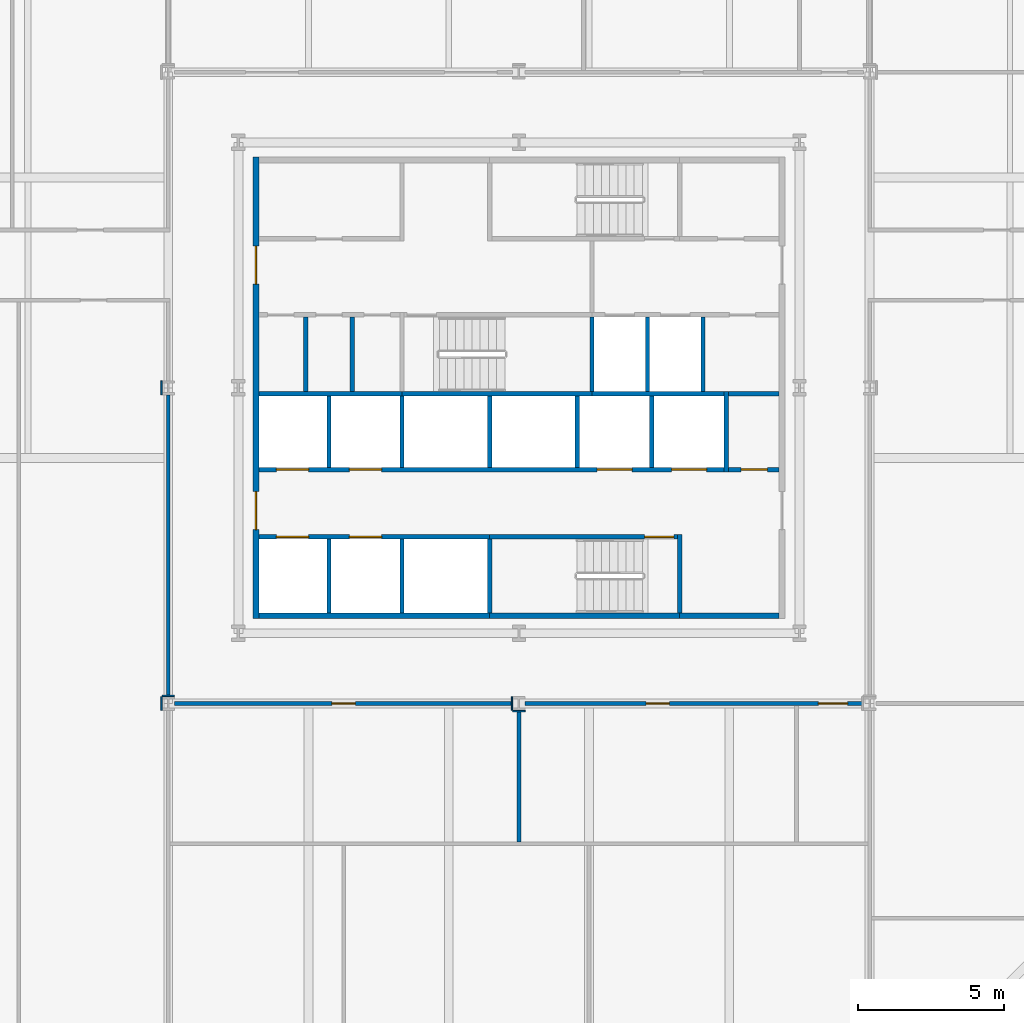
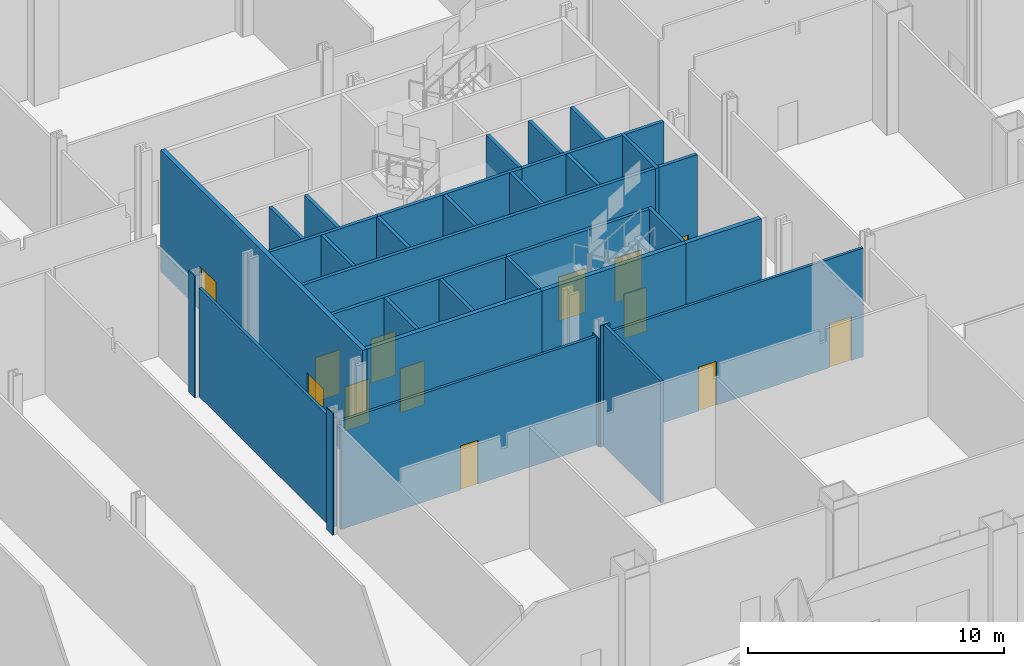
# One storey, part 18 of 31: 36 walls, 13 doors, 13 openings.
"""IFC4 building model written with IfcOpenShell, lengths in metres."""

from ifc_helpers import new_model, si_unit, direction, frame, frame_2d, origin, place, context, subcontext, project, spatial, rectangle, extrude, material, layer, layer_set, type_object, element, fill, save


model = new_model("IFC4")

# Units and contexts
model_context = context("Model", 3, precision=1e-05, world=origin(), true_north=direction((0.0, 1.0)))
body_context = subcontext(model_context, "Body", "Model", "MODEL_VIEW")
ifc_project = project(units=[si_unit("LENGTHUNIT", "METRE"), si_unit("AREAUNIT", "SQUARE_METRE"), si_unit("VOLUMEUNIT", "CUBIC_METRE"), si_unit("PLANEANGLEUNIT", "RADIAN"), si_unit("MASSUNIT", "GRAM", prefix="KILO")], contexts=[model_context])

# Site, building, storey
site_placement = place(None, origin())
site = spatial("IfcSite", under=ifc_project, at=site_placement, CompositionType="ELEMENT")
building_placement = place(site_placement, origin())
building = spatial("IfcBuilding", under=site, at=building_placement, Name="Cairn Pilgrim Tower", CompositionType="ELEMENT")
storey_placement = place(building_placement, frame((0.0, 0.0, 9.0)))
storey = spatial("IfcBuildingStorey", under=building, at=storey_placement, Name="L01", CompositionType="ELEMENT", Elevation=9.0)

# Walls
ifc_material_1 = material(Name="Concrete C32/40", Category="concrete")
ifc_layer_1 = layer(ifc_material_1, 0.199951171875)
ifc_layer_set_1 = layer_set([ifc_layer_1], Name="CORE OUTER WALL 200 EI 120")
wall_type_1 = type_object("IfcWallType", Name="CORE OUTER WALL 200 EI 120", PredefinedType="SOLIDWALL", material=ifc_layer_set_1)
wall_1_placement = place(storey_placement, frame((-1.699951171875, -5.39990234375, 0.0), z_axis=(0.0, 0.0, 1.0), x_axis=(1.0, 0.0, 0.0)))
element("IfcWall", 1, at=wall_1_placement, inside=storey, type_object=wall_type_1, Name="CW:L01:H01-1", PredefinedType="SOLIDWALL", context=body_context, shape_type="SweptSolid", body=[
    extrude(rectangle(XDim=7.89990234375, YDim=0.199951171875, at=frame_2d((3.949951171875, 0.0))), origin(), (0.0, 0.0, 1.0), 5.800048828125),
])
wall_2_placement = place(storey_placement, frame((12.699951171875, -5.39990234375, 0.0), z_axis=(0.0, 0.0, 1.0), x_axis=(1.0, 0.0, 0.0)))
element("IfcWall", 2, at=wall_2_placement, inside=storey, type_object=wall_type_1, Name="CW:L01:H01-3", PredefinedType="SOLIDWALL", context=body_context, shape_type="SweptSolid", body=[
    extrude(rectangle(XDim=3.400146484375, YDim=0.199951171875, at=frame_2d((1.7001953125, 0.0))), origin(), (0.0, 0.0, 1.0), 5.800048828125),
])

# Wall, openings, doors
wall_3_placement = place(storey_placement, frame((-1.800048828125, -5.5, 0.0), z_axis=(0.0, 0.0, 1.0), x_axis=(0.0, 1.0, 0.0)))
wall_3 = element("IfcWall", 3, at=wall_3_placement, inside=storey, type_object=wall_type_1, Name="CW:L01:V12", PredefinedType="SOLIDWALL", context=body_context, shape_type="SweptSolid", body=[
    extrude(rectangle(XDim=15.800048828125, YDim=0.199951171875, at=frame_2d((7.89990234375, 0.0))), origin(), (0.0, 0.0, 1.0), 5.800048828125),
])
opening_1_placement = place(wall_3_placement, frame((3.050048828125, 0.0, 0.0)))
opening_1 = element("IfcOpeningElement", 4, at=opening_1_placement, cuts=wall_3, Name="Opening CD-W1", PredefinedType="OPENING", context=body_context, shape_type="SweptSolid", body=[
    extrude(rectangle(XDim=1.300048828125, YDim=2.10009765625, at=frame_2d((0.64990234375, 1.050048828125))), frame((0.0, 0.10986328125, 0.0), z_axis=(0.0, -1.0, 0.0), x_axis=(1.0, 0.0, 0.0)), (0.0, 0.0, 1.0), 0.219970703125),
])
opening_2_placement = place(wall_3_placement, frame((11.449951171875, 0.0, 0.0)))
opening_2 = element("IfcOpeningElement", 5, at=opening_2_placement, cuts=wall_3, Name="Opening CD-W2", PredefinedType="OPENING", context=body_context, shape_type="SweptSolid", body=[
    extrude(rectangle(XDim=1.300048828125, YDim=2.10009765625, at=frame_2d((0.64990234375, 1.050048828125))), frame((0.0, 0.10986328125, 0.0), z_axis=(0.0, -1.0, 0.0), x_axis=(1.0, 0.0, 0.0)), (0.0, 0.0, 1.0), 0.219970703125),
])
ifc_material_2 = material(Name="Painted steel", Category="steel")
door_type_1 = type_object("IfcDoorType", Name="CORE LOBBY DOOR 1300x2100", OperationType="DOUBLE_DOOR_SINGLE_SWING", PredefinedType="DOOR", material=ifc_material_2)
door_1_placement = place(opening_1_placement, origin())
door_1 = element("IfcDoor", 6, at=door_1_placement, inside=storey, type_object=door_type_1, Name="CD-W1", OperationType="DOUBLE_DOOR_SINGLE_SWING", OverallHeight=2.10009765625, OverallWidth=1.300048828125, PredefinedType="DOOR", context=body_context, shape_type="SweptSolid", body=[
    extrude(rectangle(XDim=1.300048828125, YDim=2.10009765625, at=frame_2d((0.64990234375, 1.050048828125))), frame((0.0, 0.02490234375, 0.0), z_axis=(0.0, -1.0, 0.0), x_axis=(1.0, 0.0, 0.0)), (0.0, 0.0, 1.0), 0.050048828125),
])
fill(opening_1, door_1)
door_2_placement = place(opening_2_placement, origin())
door_2 = element("IfcDoor", 7, at=door_2_placement, inside=storey, type_object=door_type_1, Name="CD-W2", OperationType="DOUBLE_DOOR_SINGLE_SWING", OverallHeight=2.10009765625, OverallWidth=1.300048828125, PredefinedType="DOOR", context=body_context, shape_type="SweptSolid", body=[
    extrude(rectangle(XDim=1.300048828125, YDim=2.10009765625, at=frame_2d((0.64990234375, 1.050048828125))), frame((0.0, 0.02490234375, 0.0), z_axis=(0.0, -1.0, 0.0), x_axis=(1.0, 0.0, 0.0)), (0.0, 0.0, 1.0), 0.050048828125),
])
fill(opening_2, door_2)

# Wall, opening, door
ifc_layer_2 = layer(ifc_material_1, 0.14990234375)
ifc_layer_set_2 = layer_set([ifc_layer_2], Name="CORE PARTITION 150 EI 60")
wall_type_2 = type_object("IfcWallType", Name="CORE PARTITION 150 EI 60", PredefinedType="PARTITIONING", material=ifc_layer_set_2)
wall_4_placement = place(storey_placement, frame((14.375, -0.39990234375, 0.0), z_axis=(0.0, 0.0, 1.0), x_axis=(1.0, 0.0, 0.0)))
wall_4 = element("IfcWall", 8, at=wall_4_placement, inside=storey, type_object=wall_type_2, Name="CW:L01:H04", PredefinedType="PARTITIONING", context=body_context, shape_type="SweptSolid", body=[
    extrude(rectangle(XDim=1.72509765625, YDim=0.14990234375, at=frame_2d((0.862548828125, 0.0))), origin(), (0.0, 0.0, 1.0), 5.800048828125),
])
opening_3_placement = place(wall_4_placement, frame((0.425048828125, 0.0, 0.0)))
opening_3 = element("IfcOpeningElement", 9, at=opening_3_placement, cuts=wall_4, Name="Opening RD-R2E", PredefinedType="OPENING", context=body_context, shape_type="SweptSolid", body=[
    extrude(rectangle(XDim=0.89990234375, YDim=2.10009765625, at=frame_2d((0.449951171875, 1.050048828125))), frame((0.0, 0.0849609375, 0.0), z_axis=(0.0, -1.0, 0.0), x_axis=(1.0, 0.0, 0.0)), (0.0, 0.0, 1.0), 0.169921875),
])
door_type_2 = type_object("IfcDoorType", Name="SERVICE ROOM DOOR 900x2100", OperationType="SINGLE_SWING_LEFT", PredefinedType="DOOR", material=ifc_material_2)
door_3_placement = place(opening_3_placement, origin())
door_3 = element("IfcDoor", 10, at=door_3_placement, inside=storey, type_object=door_type_2, Name="RD-R2E", OperationType="SINGLE_SWING_LEFT", OverallHeight=2.10009765625, OverallWidth=0.89990234375, PredefinedType="DOOR", context=body_context, shape_type="SweptSolid", body=[
    extrude(rectangle(XDim=0.89990234375, YDim=2.10009765625, at=frame_2d((0.449951171875, 1.050048828125))), frame((0.0, 0.02490234375, 0.0), z_axis=(0.0, -1.0, 0.0), x_axis=(1.0, 0.0, 0.0)), (0.0, 0.0, 1.0), 0.050048828125),
])
fill(opening_3, door_3)

# Walls
wall_5_placement = place(storey_placement, frame((14.375, 2.199951171875, 0.0), z_axis=(0.0, 0.0, 1.0), x_axis=(1.0, 0.0, 0.0)))
element("IfcWall", 11, at=wall_5_placement, inside=storey, type_object=wall_type_2, Name="CW:L01:H06", PredefinedType="PARTITIONING", context=body_context, shape_type="SweptSolid", body=[
    extrude(rectangle(XDim=1.72509765625, YDim=0.14990234375, at=frame_2d((0.862548828125, 0.0))), origin(), (0.0, 0.0, 1.0), 5.800048828125),
])
for number, where, z_axis, x_axis, name in (
    (12, (-0.10009765625, 2.27490234375, 0.0), (0.0, 0.0, 1.0), (0.0, 1.0, 0.0), "CW:L01:V13"),
    (13, (1.5, 2.27490234375, 0.0), (0.0, 0.0, 1.0), (0.0, 1.0, 0.0), "CW:L01:V16"),
):
    element("IfcWall", number, at=place(storey_placement, frame(where, z_axis=z_axis, x_axis=x_axis)), inside=storey, type_object=wall_type_2, Name=name, PredefinedType="PARTITIONING", context=body_context, shape_type="SweptSolid", body=[
        extrude(rectangle(XDim=2.550048828125, YDim=0.14990234375, at=frame_2d((1.27490234375, 0.0))), origin(), (0.0, 0.0, 1.0), 5.800048828125),
    ])

# Wall, openings, doors
ifc_layer_3 = layer(ifc_material_1, 0.14990234375)
ifc_layer_set_3 = layer_set([ifc_layer_3], Name="CORE SHAFT WALL 150 EI 120")
wall_type_3 = type_object("IfcWallType", Name="CORE SHAFT WALL 150 EI 120", PredefinedType="SOLIDWALL", material=ifc_layer_set_3)
wall_6_placement = place(storey_placement, frame((-1.699951171875, -2.699951171875, 0.0), z_axis=(0.0, 0.0, 1.0), x_axis=(1.0, 0.0, 0.0)))
wall_6 = element("IfcWall", 14, at=wall_6_placement, inside=storey, type_object=wall_type_3, Name="CW:L01:H02-1", PredefinedType="SOLIDWALL", context=body_context, shape_type="SweptSolid", body=[
    extrude(rectangle(XDim=7.89990234375, YDim=0.14990234375, at=frame_2d((3.949951171875, 0.0))), origin(), (0.0, 0.0, 1.0), 5.800048828125),
])
opening_4_placement = place(wall_6_placement, frame((0.60009765625, 0.0, 0.0)))
opening_4 = element("IfcOpeningElement", 15, at=opening_4_placement, cuts=wall_6, Name="Opening LD-LR1", PredefinedType="OPENING", context=body_context, shape_type="SweptSolid", body=[
    extrude(rectangle(XDim=1.10009765625, YDim=2.10009765625, at=frame_2d((0.550048828125, 1.050048828125))), frame((0.0, 0.0849609375, 0.0), z_axis=(0.0, -1.0, 0.0), x_axis=(1.0, 0.0, 0.0)), (0.0, 0.0, 1.0), 0.169921875),
])
opening_5_placement = place(wall_6_placement, frame((3.10009765625, 0.0, 0.0)))
opening_5 = element("IfcOpeningElement", 16, at=opening_5_placement, cuts=wall_6, Name="Opening LD-LR2", PredefinedType="OPENING", context=body_context, shape_type="SweptSolid", body=[
    extrude(rectangle(XDim=1.10009765625, YDim=2.10009765625, at=frame_2d((0.550048828125, 1.050048828125))), frame((0.0, 0.0849609375, 0.0), z_axis=(0.0, -1.0, 0.0), x_axis=(1.0, 0.0, 0.0)), (0.0, 0.0, 1.0), 0.169921875),
])
ifc_material_3 = material(Name="Stainless steel", Category="steel")
door_type_3 = type_object("IfcDoorType", Name="LIFT LANDING DOOR 1100x2100", OperationType="DOUBLE_DOOR_SLIDING", PredefinedType="DOOR", material=ifc_material_3)
door_4_placement = place(opening_4_placement, origin())
door_4 = element("IfcDoor", 17, at=door_4_placement, inside=storey, type_object=door_type_3, Name="LANDING DOOR LR1", OperationType="DOUBLE_DOOR_SLIDING", OverallHeight=2.10009765625, OverallWidth=1.10009765625, PredefinedType="DOOR", context=body_context, shape_type="SweptSolid", body=[
    extrude(rectangle(XDim=1.10009765625, YDim=2.10009765625, at=frame_2d((0.550048828125, 1.050048828125))), frame((0.0, 0.02490234375, 0.0), z_axis=(0.0, -1.0, 0.0), x_axis=(1.0, 0.0, 0.0)), (0.0, 0.0, 1.0), 0.050048828125),
])
fill(opening_4, door_4)
door_5_placement = place(opening_5_placement, origin())
door_5 = element("IfcDoor", 18, at=door_5_placement, inside=storey, type_object=door_type_3, Name="LANDING DOOR LR2", OperationType="DOUBLE_DOOR_SLIDING", OverallHeight=2.10009765625, OverallWidth=1.10009765625, PredefinedType="DOOR", context=body_context, shape_type="SweptSolid", body=[
    extrude(rectangle(XDim=1.10009765625, YDim=2.10009765625, at=frame_2d((0.550048828125, 1.050048828125))), frame((0.0, 0.02490234375, 0.0), z_axis=(0.0, -1.0, 0.0), x_axis=(1.0, 0.0, 0.0)), (0.0, 0.0, 1.0), 0.050048828125),
])
fill(opening_5, door_5)

wall_7_placement = place(storey_placement, frame((-1.699951171875, -0.39990234375, 0.0), z_axis=(0.0, 0.0, 1.0), x_axis=(1.0, 0.0, 0.0)))
wall_7 = element("IfcWall", 19, at=wall_7_placement, inside=storey, type_object=wall_type_3, Name="CW:L01:H03", PredefinedType="SOLIDWALL", context=body_context, shape_type="SweptSolid", body=[
    extrude(rectangle(XDim=15.925048828125, YDim=0.14990234375, at=frame_2d((7.96240234375, 0.0))), origin(), (0.0, 0.0, 1.0), 5.800048828125),
])
opening_6_placement = place(wall_7_placement, frame((0.60009765625, 0.0, 0.0)))
opening_6 = element("IfcOpeningElement", 20, at=opening_6_placement, cuts=wall_7, Name="Opening LD-LR3", PredefinedType="OPENING", context=body_context, shape_type="SweptSolid", body=[
    extrude(rectangle(XDim=1.10009765625, YDim=2.10009765625, at=frame_2d((0.550048828125, 1.050048828125))), frame((0.0, 0.0849609375, 0.0), z_axis=(0.0, -1.0, 0.0), x_axis=(1.0, 0.0, 0.0)), (0.0, 0.0, 1.0), 0.169921875),
])
opening_7_placement = place(wall_7_placement, frame((3.10009765625, 0.0, 0.0)))
opening_7 = element("IfcOpeningElement", 21, at=opening_7_placement, cuts=wall_7, Name="Opening LD-LR4", PredefinedType="OPENING", context=body_context, shape_type="SweptSolid", body=[
    extrude(rectangle(XDim=1.10009765625, YDim=2.10009765625, at=frame_2d((0.550048828125, 1.050048828125))), frame((0.0, 0.0849609375, 0.0), z_axis=(0.0, -1.0, 0.0), x_axis=(1.0, 0.0, 0.0)), (0.0, 0.0, 1.0), 0.169921875),
])
opening_8_placement = place(wall_7_placement, frame((11.574951171875, 0.0, 0.0)))
opening_8 = element("IfcOpeningElement", 22, at=opening_8_placement, cuts=wall_7, Name="Opening LD-SV1", PredefinedType="OPENING", context=body_context, shape_type="SweptSolid", body=[
    extrude(rectangle(XDim=1.199951171875, YDim=2.10009765625, at=frame_2d((0.60009765625, 1.050048828125))), frame((0.0, 0.0849609375, 0.0), z_axis=(0.0, -1.0, 0.0), x_axis=(1.0, 0.0, 0.0)), (0.0, 0.0, 1.0), 0.169921875),
])
opening_9_placement = place(wall_7_placement, frame((14.125, 0.0, 0.0)))
opening_9 = element("IfcOpeningElement", 23, at=opening_9_placement, cuts=wall_7, Name="Opening LD-SV2", PredefinedType="OPENING", context=body_context, shape_type="SweptSolid", body=[
    extrude(rectangle(XDim=1.199951171875, YDim=2.10009765625, at=frame_2d((0.60009765625, 1.050048828125))), frame((0.0, 0.0849609375, 0.0), z_axis=(0.0, -1.0, 0.0), x_axis=(1.0, 0.0, 0.0)), (0.0, 0.0, 1.0), 0.169921875),
])
door_6_placement = place(opening_6_placement, origin())
door_6 = element("IfcDoor", 24, at=door_6_placement, inside=storey, type_object=door_type_3, Name="LANDING DOOR LR3", OperationType="DOUBLE_DOOR_SLIDING", OverallHeight=2.10009765625, OverallWidth=1.10009765625, PredefinedType="DOOR", context=body_context, shape_type="SweptSolid", body=[
    extrude(rectangle(XDim=1.10009765625, YDim=2.10009765625, at=frame_2d((0.550048828125, 1.050048828125))), frame((0.0, 0.02490234375, 0.0), z_axis=(0.0, -1.0, 0.0), x_axis=(1.0, 0.0, 0.0)), (0.0, 0.0, 1.0), 0.050048828125),
])
fill(opening_6, door_6)
door_7_placement = place(opening_7_placement, origin())
door_7 = element("IfcDoor", 25, at=door_7_placement, inside=storey, type_object=door_type_3, Name="LANDING DOOR LR4", OperationType="DOUBLE_DOOR_SLIDING", OverallHeight=2.10009765625, OverallWidth=1.10009765625, PredefinedType="DOOR", context=body_context, shape_type="SweptSolid", body=[
    extrude(rectangle(XDim=1.10009765625, YDim=2.10009765625, at=frame_2d((0.550048828125, 1.050048828125))), frame((0.0, 0.02490234375, 0.0), z_axis=(0.0, -1.0, 0.0), x_axis=(1.0, 0.0, 0.0)), (0.0, 0.0, 1.0), 0.050048828125),
])
fill(opening_7, door_7)
door_type_4 = type_object("IfcDoorType", Name="LIFT LANDING DOOR 1200x2100", OperationType="DOUBLE_DOOR_SLIDING", PredefinedType="DOOR", material=ifc_material_3)
door_8_placement = place(opening_8_placement, origin())
door_8 = element("IfcDoor", 26, at=door_8_placement, inside=storey, type_object=door_type_4, Name="LANDING DOOR SV1", OperationType="DOUBLE_DOOR_SLIDING", OverallHeight=2.10009765625, OverallWidth=1.199951171875, PredefinedType="DOOR", context=body_context, shape_type="SweptSolid", body=[
    extrude(rectangle(XDim=1.199951171875, YDim=2.10009765625, at=frame_2d((0.60009765625, 1.050048828125))), frame((0.0, 0.02490234375, 0.0), z_axis=(0.0, -1.0, 0.0), x_axis=(1.0, 0.0, 0.0)), (0.0, 0.0, 1.0), 0.050048828125),
])
fill(opening_8, door_8)
door_9_placement = place(opening_9_placement, origin())
door_9 = element("IfcDoor", 27, at=door_9_placement, inside=storey, type_object=door_type_4, Name="LANDING DOOR SV2", OperationType="DOUBLE_DOOR_SLIDING", OverallHeight=2.10009765625, OverallWidth=1.199951171875, PredefinedType="DOOR", context=body_context, shape_type="SweptSolid", body=[
    extrude(rectangle(XDim=1.199951171875, YDim=2.10009765625, at=frame_2d((0.60009765625, 1.050048828125))), frame((0.0, 0.02490234375, 0.0), z_axis=(0.0, -1.0, 0.0), x_axis=(1.0, 0.0, 0.0)), (0.0, 0.0, 1.0), 0.050048828125),
])
fill(opening_9, door_9)

# Walls
wall_8_placement = place(storey_placement, frame((-1.699951171875, 2.199951171875, 0.0), z_axis=(0.0, 0.0, 1.0), x_axis=(1.0, 0.0, 0.0)))
element("IfcWall", 28, at=wall_8_placement, inside=storey, type_object=wall_type_3, Name="CW:L01:H05-1", PredefinedType="SOLIDWALL", context=body_context, shape_type="SweptSolid", body=[
    extrude(rectangle(XDim=4.89990234375, YDim=0.14990234375, at=frame_2d((2.449951171875, 0.0))), origin(), (0.0, 0.0, 1.0), 5.800048828125),
])
wall_9_placement = place(storey_placement, frame((9.699951171875, 2.199951171875, 0.0), z_axis=(0.0, 0.0, 1.0), x_axis=(1.0, 0.0, 0.0)))
element("IfcWall", 29, at=wall_9_placement, inside=storey, type_object=wall_type_3, Name="CW:L01:H05-3", PredefinedType="SOLIDWALL", context=body_context, shape_type="SweptSolid", body=[
    extrude(rectangle(XDim=4.525146484375, YDim=0.14990234375, at=frame_2d((2.2626953125, 0.0))), origin(), (0.0, 0.0, 1.0), 5.800048828125),
])
wall_10_placement = place(storey_placement, frame((0.699951171875, -5.300048828125, 0.0), z_axis=(0.0, 0.0, 1.0), x_axis=(0.0, 1.0, 0.0)))
element("IfcWall", 30, at=wall_10_placement, inside=storey, type_object=wall_type_3, Name="CW:L01:V14", PredefinedType="SOLIDWALL", context=body_context, shape_type="SweptSolid", body=[
    extrude(rectangle(XDim=2.525146484375, YDim=0.14990234375, at=frame_2d((1.2626953125, 0.0))), origin(), (0.0, 0.0, 1.0), 5.800048828125),
])
wall_11_placement = place(storey_placement, frame((0.699951171875, -0.324951171875, 0.0), z_axis=(0.0, 0.0, 1.0), x_axis=(0.0, 1.0, 0.0)))
element("IfcWall", 31, at=wall_11_placement, inside=storey, type_object=wall_type_3, Name="CW:L01:V15", PredefinedType="SOLIDWALL", context=body_context, shape_type="SweptSolid", body=[
    extrude(rectangle(XDim=2.449951171875, YDim=0.14990234375, at=frame_2d((1.22509765625, 0.0))), origin(), (0.0, 0.0, 1.0), 5.800048828125),
])
wall_12_placement = place(storey_placement, frame((3.199951171875, -5.300048828125, 0.0), z_axis=(0.0, 0.0, 1.0), x_axis=(0.0, 1.0, 0.0)))
element("IfcWall", 32, at=wall_12_placement, inside=storey, type_object=wall_type_3, Name="CW:L01:V17", PredefinedType="SOLIDWALL", context=body_context, shape_type="SweptSolid", body=[
    extrude(rectangle(XDim=2.525146484375, YDim=0.14990234375, at=frame_2d((1.2626953125, 0.0))), origin(), (0.0, 0.0, 1.0), 5.800048828125),
])
for number, where, z_axis, x_axis, name in (
    (33, (3.199951171875, -0.324951171875, 0.0), (0.0, 0.0, 1.0), (0.0, 1.0, 0.0), "CW:L01:V18"),
    (34, (6.199951171875, -0.324951171875, 0.0), (0.0, 0.0, 1.0), (0.0, 1.0, 0.0), "CW:L01:V22"),
    (35, (9.199951171875, -0.324951171875, 0.0), (0.0, 0.0, 1.0), (0.0, 1.0, 0.0), "CW:L01:V24"),
):
    element("IfcWall", number, at=place(storey_placement, frame(where, z_axis=z_axis, x_axis=x_axis)), inside=storey, type_object=wall_type_3, Name=name, PredefinedType="SOLIDWALL", context=body_context, shape_type="SweptSolid", body=[
        extrude(rectangle(XDim=2.449951171875, YDim=0.14990234375, at=frame_2d((1.22509765625, 0.0))), origin(), (0.0, 0.0, 1.0), 5.800048828125),
    ])
wall_13_placement = place(storey_placement, frame((11.60009765625, 2.27490234375, 0.0), z_axis=(0.0, 0.0, 1.0), x_axis=(0.0, 1.0, 0.0)))
element("IfcWall", 36, at=wall_13_placement, inside=storey, type_object=wall_type_3, Name="CW:L01:V27", PredefinedType="SOLIDWALL", context=body_context, shape_type="SweptSolid", body=[
    extrude(rectangle(XDim=2.550048828125, YDim=0.14990234375, at=frame_2d((1.27490234375, 0.0))), origin(), (0.0, 0.0, 1.0), 5.800048828125),
])
wall_14_placement = place(storey_placement, frame((11.75, -0.324951171875, 0.0), z_axis=(0.0, 0.0, 1.0), x_axis=(0.0, 1.0, 0.0)))
element("IfcWall", 37, at=wall_14_placement, inside=storey, type_object=wall_type_3, Name="CW:L01:V28", PredefinedType="SOLIDWALL", context=body_context, shape_type="SweptSolid", body=[
    extrude(rectangle(XDim=2.449951171875, YDim=0.14990234375, at=frame_2d((1.22509765625, 0.0))), origin(), (0.0, 0.0, 1.0), 5.800048828125),
])
wall_15_placement = place(storey_placement, frame((13.5, 2.27490234375, 0.0), z_axis=(0.0, 0.0, 1.0), x_axis=(0.0, 1.0, 0.0)))
element("IfcWall", 38, at=wall_15_placement, inside=storey, type_object=wall_type_3, Name="CW:L01:V31", PredefinedType="SOLIDWALL", context=body_context, shape_type="SweptSolid", body=[
    extrude(rectangle(XDim=2.550048828125, YDim=0.14990234375, at=frame_2d((1.27490234375, 0.0))), origin(), (0.0, 0.0, 1.0), 5.800048828125),
])
wall_16_placement = place(storey_placement, frame((14.300048828125, -0.47509765625, 0.0), z_axis=(0.0, 0.0, 1.0), x_axis=(0.0, 1.0, 0.0)))
element("IfcWall", 39, at=wall_16_placement, inside=storey, type_object=wall_type_3, Name="CW:L01:V32", PredefinedType="SOLIDWALL", context=body_context, shape_type="SweptSolid", body=[
    extrude(rectangle(XDim=2.75, YDim=0.14990234375, at=frame_2d((1.375, 0.0))), origin(), (0.0, 0.0, 1.0), 5.800048828125),
])
ifc_material_4 = material(Name="Gypsum partition")
ifc_layer_4 = layer(ifc_material_4, 0.125)
ifc_layer_set_4 = layer_set([ifc_layer_4], Name="PARTITION 125 DRYWALL EI 60")
wall_type_4 = type_object("IfcWallType", Name="PARTITION 125 DRYWALL EI 60", PredefinedType="PARTITIONING", material=ifc_layer_set_4)
wall_17_placement = place(storey_placement, frame((7.199951171875, -13.137451171875, 0.0), z_axis=(0.0, 0.0, 1.0), x_axis=(0.0, 1.0, 0.0)))
element("IfcWall", 40, at=wall_17_placement, inside=storey, type_object=wall_type_4, Name="PARTITION W029", PredefinedType="PARTITIONING", context=body_context, shape_type="SweptSolid", body=[
    extrude(rectangle(XDim=4.50048828125, YDim=0.125, at=frame_2d((2.250244140625, 0.0))), origin(), (0.0, 0.0, 1.0), 5.800048828125),
])

# Wall, opening, door
wall_18_placement = place(storey_placement, frame((-4.587890625, -8.39990234375, 0.0), z_axis=(0.0, 0.0, 1.0), x_axis=(1.0, 0.0, 0.0)))
wall_18 = element("IfcWall", 41, at=wall_18_placement, inside=storey, type_object=wall_type_4, Name="PARTITION W034", PredefinedType="PARTITIONING", context=body_context, shape_type="SweptSolid", body=[
    extrude(rectangle(XDim=11.575927734375, YDim=0.125, at=frame_2d((5.7880859375, 0.0))), origin(), (0.0, 0.0, 1.0), 5.179931640625),
])
opening_10_placement = place(wall_18_placement, frame((5.387939453125, 0.0, 0.0)))
opening_10 = element("IfcOpeningElement", 42, at=opening_10_placement, cuts=wall_18, Name="Opening 0112", PredefinedType="OPENING", context=body_context, shape_type="SweptSolid", body=[
    extrude(rectangle(XDim=0.800048828125, YDim=2.10009765625, at=frame_2d((0.39990234375, 1.050048828125))), frame((0.0, 0.072509765625, 0.0), z_axis=(0.0, -1.0, 0.0), x_axis=(1.0, 0.0, 0.0)), (0.0, 0.0, 1.0), 0.14501953125),
])
ifc_material_5 = material(Name="Timber door leaf", Category="wood")
door_type_5 = type_object("IfcDoorType", Name="WC DOOR 800x2100 FD30S", OperationType="NOTDEFINED", PredefinedType="DOOR", material=ifc_material_5)
door_10_placement = place(opening_10_placement, origin())
door_10 = element("IfcDoor", 43, at=door_10_placement, inside=storey, type_object=door_type_5, Name="DOOR 0112", OperationType="SINGLE_SWING_LEFT", OverallHeight=2.10009765625, OverallWidth=0.800048828125, PredefinedType="DOOR", context=body_context, shape_type="SweptSolid", body=[
    extrude(rectangle(XDim=0.800048828125, YDim=2.10009765625, at=frame_2d((0.39990234375, 1.050048828125))), frame((0.0, 0.02490234375, 0.0), z_axis=(0.0, -1.0, 0.0), x_axis=(1.0, 0.0, 0.0)), (0.0, 0.0, 1.0), 0.050048828125),
])
fill(opening_10, door_10)

# Wall, openings, doors
wall_19_placement = place(storey_placement, frame((7.412109375, -8.39990234375, 0.0), z_axis=(0.0, 0.0, 1.0), x_axis=(1.0, 0.0, 0.0)))
wall_19 = element("IfcWall", 44, at=wall_19_placement, inside=storey, type_object=wall_type_4, Name="PARTITION W035", PredefinedType="PARTITIONING", context=body_context, shape_type="SweptSolid", body=[
    extrude(rectangle(XDim=11.575927734375, YDim=0.125, at=frame_2d((5.7880859375, 0.0))), origin(), (0.0, 0.0, 1.0), 5.179931640625),
])
opening_11_placement = place(wall_19_placement, frame((4.137939453125, 0.0, 0.0)))
opening_11 = element("IfcOpeningElement", 45, at=opening_11_placement, cuts=wall_19, Name="Opening 0113", PredefinedType="OPENING", context=body_context, shape_type="SweptSolid", body=[
    extrude(rectangle(XDim=0.800048828125, YDim=2.10009765625, at=frame_2d((0.39990234375, 1.050048828125))), frame((0.0, 0.072509765625, 0.0), z_axis=(0.0, -1.0, 0.0), x_axis=(1.0, 0.0, 0.0)), (0.0, 0.0, 1.0), 0.14501953125),
])
opening_12_placement = place(wall_19_placement, frame((10.0380859375, 0.0, 0.0)))
opening_12 = element("IfcOpeningElement", 46, at=opening_12_placement, cuts=wall_19, Name="Opening 0114", PredefinedType="OPENING", context=body_context, shape_type="SweptSolid", body=[
    extrude(rectangle(XDim=1.0, YDim=2.10009765625, at=frame_2d((0.5, 1.050048828125))), frame((0.0, 0.072509765625, 0.0), z_axis=(0.0, -1.0, 0.0), x_axis=(1.0, 0.0, 0.0)), (0.0, 0.0, 1.0), 0.14501953125),
])
door_type_6 = type_object("IfcDoorType", Name="ACCESSIBLE DOOR 1000x2100 FD30S", OperationType="NOTDEFINED", PredefinedType="DOOR", material=ifc_material_5)
door_11_placement = place(opening_12_placement, origin())
door_11 = element("IfcDoor", 47, at=door_11_placement, inside=storey, type_object=door_type_6, Name="DOOR 0114", OperationType="SINGLE_SWING_RIGHT", OverallHeight=2.10009765625, OverallWidth=1.0, PredefinedType="DOOR", context=body_context, shape_type="SweptSolid", body=[
    extrude(rectangle(XDim=1.0, YDim=2.10009765625, at=frame_2d((0.5, 1.050048828125))), frame((0.0, 0.02490234375, 0.0), z_axis=(0.0, -1.0, 0.0), x_axis=(1.0, 0.0, 0.0)), (0.0, 0.0, 1.0), 0.050048828125),
])
fill(opening_12, door_11)
door_12_placement = place(opening_11_placement, origin())
door_12 = element("IfcDoor", 48, at=door_12_placement, inside=storey, type_object=door_type_5, Name="DOOR 0113", OperationType="SINGLE_SWING_RIGHT", OverallHeight=2.10009765625, OverallWidth=0.800048828125, PredefinedType="DOOR", context=body_context, shape_type="SweptSolid", body=[
    extrude(rectangle(XDim=0.800048828125, YDim=2.10009765625, at=frame_2d((0.39990234375, 1.050048828125))), frame((0.0, 0.02490234375, 0.0), z_axis=(0.0, -1.0, 0.0), x_axis=(1.0, 0.0, 0.0)), (0.0, 0.0, 1.0), 0.050048828125),
])
fill(opening_11, door_12)

# Walls
wall_20_placement = place(storey_placement, frame((-4.800048828125, -8.1630859375, 0.0), z_axis=(0.0, 0.0, 1.0), x_axis=(0.0, 1.0, 0.0)))
element("IfcWall", 49, at=wall_20_placement, inside=storey, type_object=wall_type_4, Name="PARTITION W037", PredefinedType="PARTITIONING", context=body_context, shape_type="SweptSolid", body=[
    extrude(rectangle(XDim=10.326171875, YDim=0.125, at=frame_2d((5.1630859375, 0.0))), origin(), (0.0, 0.0, 1.0), 5.179931640625),
])
ifc_layer_5 = layer(ifc_material_4, 0.050048828125)
ifc_layer_set_5 = layer_set([ifc_layer_5], Name="PARTITION 50 DRYWALL EI 60")
wall_type_5 = type_object("IfcWallType", Name="PARTITION 50 DRYWALL EI 60", PredefinedType="PARTITIONING", material=ifc_layer_set_5)
wall_21_placement = place(storey_placement, frame((-5.037109375, -8.636962890625, 0.0), z_axis=(0.0, 0.0, 1.0), x_axis=(0.0, 1.0, 0.0)))
element("IfcWall", 50, at=wall_21_placement, inside=storey, type_object=wall_type_5, Name="COLUMN CASING WC12", PredefinedType="PARTITIONING", context=body_context, shape_type="SweptSolid", body=[
    extrude(rectangle(XDim=0.473876953125, YDim=0.050048828125, at=frame_2d((0.23681640625, 0.0))), origin(), (0.0, 0.0, 1.0), 5.800048828125),
])
wall_22_placement = place(storey_placement, frame((6.962890625, -8.636962890625, 0.0), z_axis=(0.0, 0.0, 1.0), x_axis=(0.0, 1.0, 0.0)))
element("IfcWall", 51, at=wall_22_placement, inside=storey, type_object=wall_type_5, Name="COLUMN CASING WC22", PredefinedType="PARTITIONING", context=body_context, shape_type="SweptSolid", body=[
    extrude(rectangle(XDim=0.473876953125, YDim=0.050048828125, at=frame_2d((0.23681640625, 0.0))), origin(), (0.0, 0.0, 1.0), 5.179931640625),
])
wall_23_placement = place(storey_placement, frame((-5.037109375, 2.1630859375, 0.0), z_axis=(0.0, 0.0, 1.0), x_axis=(0.0, 1.0, 0.0)))
element("IfcWall", 52, at=wall_23_placement, inside=storey, type_object=wall_type_5, Name="COLUMN CASING WC23", PredefinedType="PARTITIONING", context=body_context, shape_type="SweptSolid", body=[
    extrude(rectangle(XDim=0.473876953125, YDim=0.050048828125, at=frame_2d((0.23681640625, 0.0))), origin(), (0.0, 0.0, 1.0), 5.800048828125),
])
wall_24_placement = place(storey_placement, frame((-5.011962890625, -8.137939453125, 0.0), z_axis=(0.0, 0.0, 1.0), x_axis=(1.0, 0.0, 0.0)))
element("IfcWall", 53, at=wall_24_placement, inside=storey, type_object=wall_type_5, Name="COLUMN CASING WC24", PredefinedType="PARTITIONING", context=body_context, shape_type="SweptSolid", body=[
    extrude(rectangle(XDim=0.424072265625, YDim=0.050048828125, at=frame_2d((0.2119140625, 0.0))), origin(), (0.0, 0.0, 1.0), 5.179931640625),
])
wall_25_placement = place(storey_placement, frame((6.988037109375, -8.662109375, 0.0), z_axis=(0.0, 0.0, 1.0), x_axis=(1.0, 0.0, 0.0)))
element("IfcWall", 54, at=wall_25_placement, inside=storey, type_object=wall_type_5, Name="COLUMN CASING WC25", PredefinedType="PARTITIONING", context=body_context, shape_type="SweptSolid", body=[
    extrude(rectangle(XDim=0.424072265625, YDim=0.050048828125, at=frame_2d((0.2119140625, 0.0))), origin(), (0.0, 0.0, 1.0), 5.800048828125),
])

# Wall, opening, door
ifc_material_6 = material(Name="Concrete C35/45", Category="concrete")
ifc_layer_6 = layer(ifc_material_6, 0.14990234375)
ifc_layer_set_6 = layer_set([ifc_layer_6], Name="STAIR SHAFT WALL 150 EI 120")
wall_type_6 = type_object("IfcWallType", Name="STAIR SHAFT WALL 150 EI 120", PredefinedType="SOLIDWALL", material=ifc_layer_set_6)
wall_26_placement = place(storey_placement, frame((6.199951171875, -2.699951171875, 0.0), z_axis=(0.0, 0.0, 1.0), x_axis=(1.0, 0.0, 0.0)))
wall_26 = element("IfcWall", 55, at=wall_26_placement, inside=storey, type_object=wall_type_6, Name="CW:L01:H02-2", PredefinedType="SOLIDWALL", context=body_context, shape_type="SweptSolid", body=[
    extrude(rectangle(XDim=6.425048828125, YDim=0.14990234375, at=frame_2d((3.21240234375, 0.0))), origin(), (0.0, 0.0, 1.0), 5.800048828125),
])
opening_13_placement = place(wall_26_placement, frame((5.300048828125, 0.0, 0.0)))
opening_13 = element("IfcOpeningElement", 56, at=opening_13_placement, cuts=wall_26, Name="Opening SD-A", PredefinedType="OPENING", context=body_context, shape_type="SweptSolid", body=[
    extrude(rectangle(XDim=1.0, YDim=2.10009765625, at=frame_2d((0.5, 1.050048828125))), frame((0.0, 0.0849609375, 0.0), z_axis=(0.0, -1.0, 0.0), x_axis=(1.0, 0.0, 0.0)), (0.0, 0.0, 1.0), 0.169921875),
])
door_type_7 = type_object("IfcDoorType", Name="STAIR DOOR FD60S 1000x2100", OperationType="SINGLE_SWING_LEFT", PredefinedType="DOOR", material=ifc_material_2)
door_13_placement = place(opening_13_placement, origin())
door_13 = element("IfcDoor", 57, at=door_13_placement, inside=storey, type_object=door_type_7, Name="SD-A", OperationType="SINGLE_SWING_RIGHT", OverallHeight=2.10009765625, OverallWidth=1.0, PredefinedType="DOOR", context=body_context, shape_type="SweptSolid", body=[
    extrude(rectangle(XDim=1.0, YDim=2.10009765625, at=frame_2d((0.5, 1.050048828125))), frame((0.0, 0.02490234375, 0.0), z_axis=(0.0, -1.0, 0.0), x_axis=(1.0, 0.0, 0.0)), (0.0, 0.0, 1.0), 0.050048828125),
])
fill(opening_13, door_13)

# Walls
wall_27_placement = place(storey_placement, frame((3.199951171875, 2.199951171875, 0.0), z_axis=(0.0, 0.0, 1.0), x_axis=(1.0, 0.0, 0.0)))
element("IfcWall", 58, at=wall_27_placement, inside=storey, type_object=wall_type_6, Name="CW:L01:H05-2", PredefinedType="SOLIDWALL", context=body_context, shape_type="SweptSolid", body=[
    extrude(rectangle(XDim=6.5, YDim=0.14990234375, at=frame_2d((3.25, 0.0))), origin(), (0.0, 0.0, 1.0), 5.800048828125),
])
wall_28_placement = place(storey_placement, frame((6.199951171875, -5.300048828125, 0.0), z_axis=(0.0, 0.0, 1.0), x_axis=(0.0, 1.0, 0.0)))
element("IfcWall", 59, at=wall_28_placement, inside=storey, type_object=wall_type_6, Name="CW:L01:V21", PredefinedType="SOLIDWALL", context=body_context, shape_type="SweptSolid", body=[
    extrude(rectangle(XDim=2.525146484375, YDim=0.14990234375, at=frame_2d((1.2626953125, 0.0))), origin(), (0.0, 0.0, 1.0), 5.800048828125),
])
wall_29_placement = place(storey_placement, frame((9.699951171875, 2.27490234375, 0.0), z_axis=(0.0, 0.0, 1.0), x_axis=(0.0, 1.0, 0.0)))
element("IfcWall", 60, at=wall_29_placement, inside=storey, type_object=wall_type_6, Name="CW:L01:V25", PredefinedType="SOLIDWALL", context=body_context, shape_type="SweptSolid", body=[
    extrude(rectangle(XDim=2.550048828125, YDim=0.14990234375, at=frame_2d((1.27490234375, 0.0))), origin(), (0.0, 0.0, 1.0), 5.800048828125),
])
wall_30_placement = place(storey_placement, frame((12.699951171875, -5.300048828125, 0.0), z_axis=(0.0, 0.0, 1.0), x_axis=(0.0, 1.0, 0.0)))
element("IfcWall", 61, at=wall_30_placement, inside=storey, type_object=wall_type_6, Name="CW:L01:V29", PredefinedType="SOLIDWALL", context=body_context, shape_type="SweptSolid", body=[
    extrude(rectangle(XDim=2.675048828125, YDim=0.14990234375, at=frame_2d((1.33740234375, 0.0))), origin(), (0.0, 0.0, 1.0), 5.800048828125),
])
ifc_layer_7 = layer(ifc_material_6, 0.199951171875)
ifc_layer_set_7 = layer_set([ifc_layer_7], Name="STAIR SHAFT WALL 200 EI 120")
wall_type_7 = type_object("IfcWallType", Name="STAIR SHAFT WALL 200 EI 120", PredefinedType="SOLIDWALL", material=ifc_layer_set_7)
wall_31_placement = place(storey_placement, frame((6.199951171875, -5.39990234375, 0.0), z_axis=(0.0, 0.0, 1.0), x_axis=(1.0, 0.0, 0.0)))
element("IfcWall", 62, at=wall_31_placement, inside=storey, type_object=wall_type_7, Name="CW:L01:H01-2", PredefinedType="SOLIDWALL", context=body_context, shape_type="SweptSolid", body=[
    extrude(rectangle(XDim=6.5, YDim=0.199951171875, at=frame_2d((3.25, 0.0))), origin(), (0.0, 0.0, 1.0), 5.800048828125),
])

save(model, "model.ifc")
